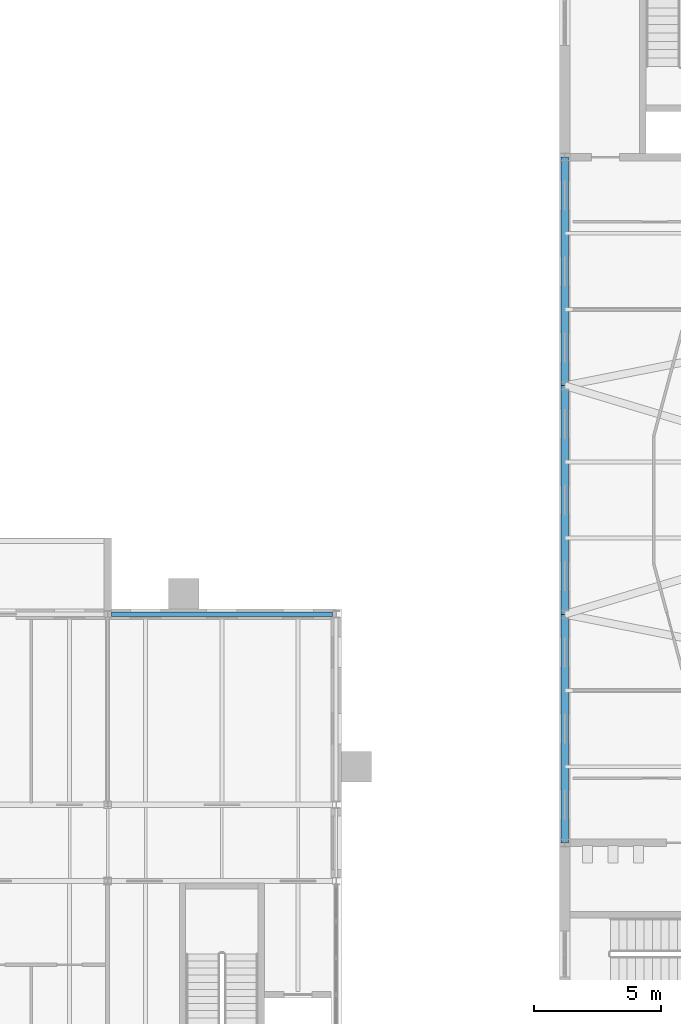
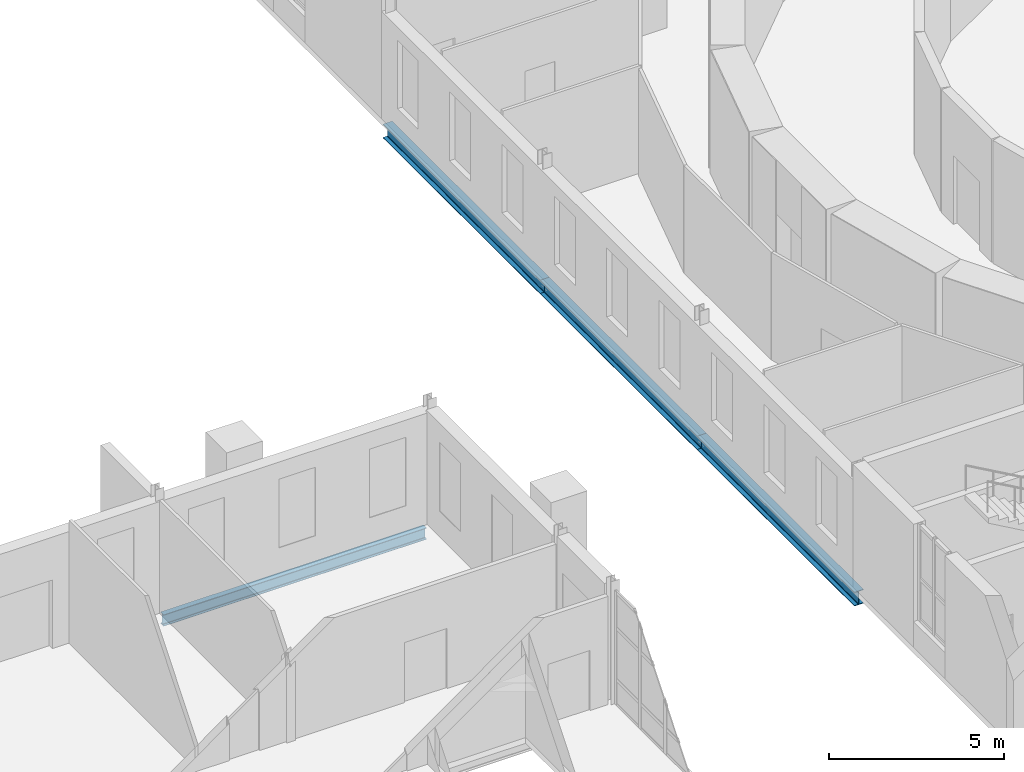
# One storey, part 44 of 131: 4 beams.
"""IFC4 building model written with IfcOpenShell, lengths in metres."""

from ifc_helpers import new_model, si_unit, direction, frame, origin, origin_2d, place, context, subcontext, project, spatial, i_section, extrude, material, material_profile, profile_set, type_object, element, save


model = new_model("IFC4")

# Units and contexts
model_context = context("Model", 3, precision=1e-05, world=origin(), true_north=direction((0.0, 1.0)))
body_context = subcontext(model_context, "Body", "Model", "MODEL_VIEW")
ifc_project = project(units=[si_unit("LENGTHUNIT", "METRE"), si_unit("AREAUNIT", "SQUARE_METRE"), si_unit("VOLUMEUNIT", "CUBIC_METRE"), si_unit("PLANEANGLEUNIT", "RADIAN"), si_unit("MASSUNIT", "GRAM", prefix="KILO")], contexts=[model_context])

# Site, building, storey
site_placement = place(None, origin())
site = spatial("IfcSite", under=ifc_project, at=site_placement, CompositionType="ELEMENT")
building_placement = place(site_placement, origin())
building = spatial("IfcBuilding", under=site, at=building_placement, Name="Golden Quay Civic Hall", CompositionType="ELEMENT")
storey_placement = place(building_placement, frame((0.0, 0.0, 9.89990234375)))
storey = spatial("IfcBuildingStorey", under=building, at=storey_placement, Name="L02", CompositionType="ELEMENT", Elevation=9.89990234375)

# Beams
ifc_material_1 = material(Name="Steel S355", Category="steel")
ifc_material_profile_1 = material_profile(ifc_material_1, i_section(OverallWidth=0.179931640625, OverallDepth=0.39990234375, WebThickness=0.008544921875, FlangeThickness=0.013427734375, FilletRadius=0.02099609375, at=origin_2d()), Name="IPE 400")
ifc_profile_set_1 = profile_set([ifc_material_profile_1], Name="Steel S355")
beam_type_1 = type_object("IfcBeamType", Name="Steel beam IPE 400", PredefinedType="BEAM", material=ifc_profile_set_1)
beam_placement = place(storey_placement, frame((45.14990234375, 81.0, -0.39990234375), z_axis=(1.0, 0.0, 0.0), x_axis=(0.0, 1.0, 0.0)))
element("IfcBeam", 1, at=beam_placement, inside=storey, type_object=beam_type_1, Name="Beam L81-45", PredefinedType="BEAM", context=body_context, shape_type="SweptSolid", body=[
    extrude(i_section(OverallWidth=0.179931640625, OverallDepth=0.39990234375, WebThickness=0.008544921875, FlangeThickness=0.013427734375, FilletRadius=0.02099609375, at=origin_2d()), origin(), (0.0, 0.0, 1.0), 8.7001953125),
])
ifc_material_2 = material(Name="Steel S355", Category="steel")
ifc_material_profile_2 = material_profile(ifc_material_2, i_section(OverallWidth=0.300048828125, OverallDepth=0.489990234375, WebThickness=0.011962890625, FlangeThickness=0.02294921875, FilletRadius=0.027099609375, at=origin_2d()), Name="HEA 500")
ifc_profile_set_2 = profile_set([ifc_material_profile_2], Name="Steel S355")
beam_type_2 = type_object("IfcBeamType", Name="Steel girder HEA 500", PredefinedType="BEAM", material=ifc_profile_set_2)
for number, where, z_axis, x_axis, name in (
    (2, (63.0, 72.0, -0.44482421875), (0.0, 1.0, 0.0), (-1.0, 0.0, 0.0), "Perimeter girder 3"),
    (3, (63.0, 81.0, -0.44482421875), (0.0, 1.0, 0.0), (-1.0, 0.0, 0.0), "Perimeter girder 7"),
    (4, (63.0, 90.0, -0.44482421875), (0.0, 1.0, 0.0), (-1.0, 0.0, 0.0), "Perimeter girder 11"),
):
    element("IfcBeam", number, at=place(storey_placement, frame(where, z_axis=z_axis, x_axis=x_axis)), inside=storey, type_object=beam_type_2, Name=name, PredefinedType="BEAM", context=body_context, shape_type="SweptSolid", body=[
        extrude(i_section(OverallWidth=0.300048828125, OverallDepth=0.489990234375, WebThickness=0.011962890625, FlangeThickness=0.02294921875, FilletRadius=0.027099609375, at=origin_2d()), origin(), (0.0, 0.0, 1.0), 9.0),
    ])

save(model, "model.ifc")
